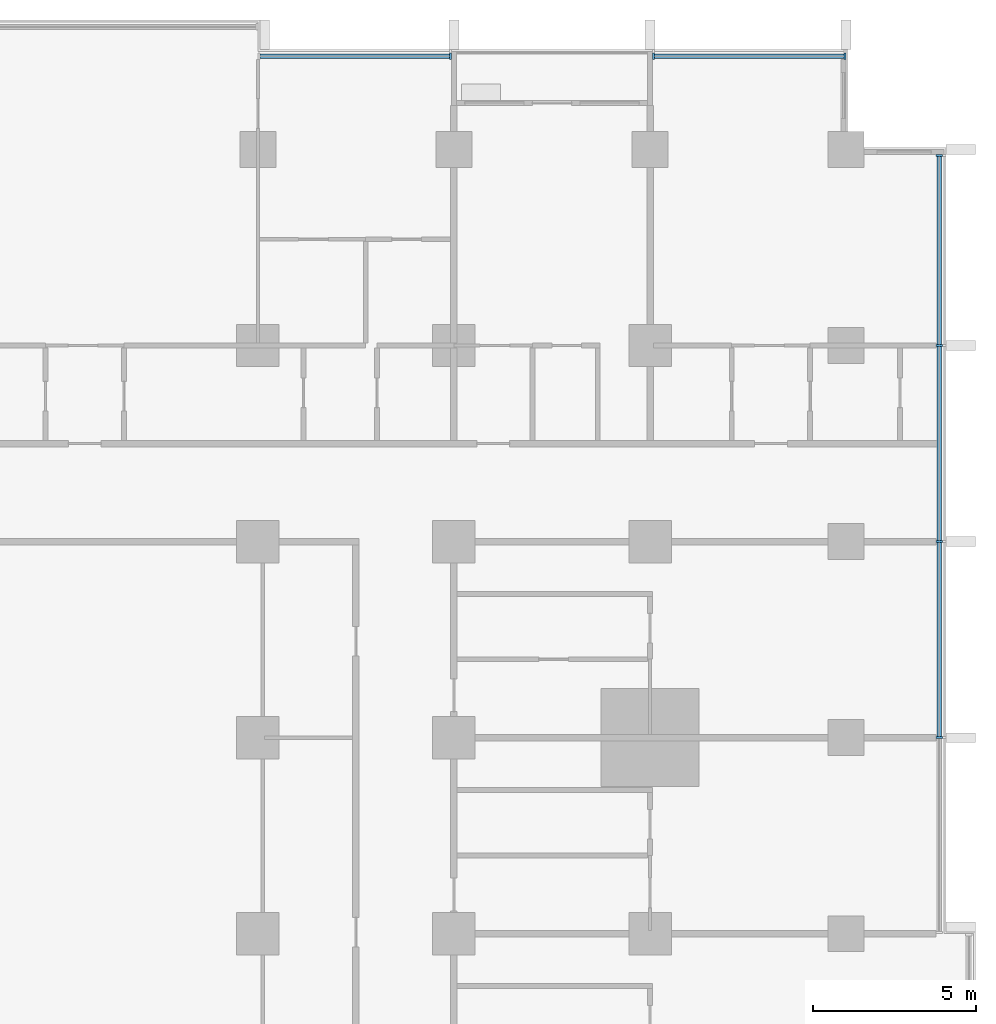
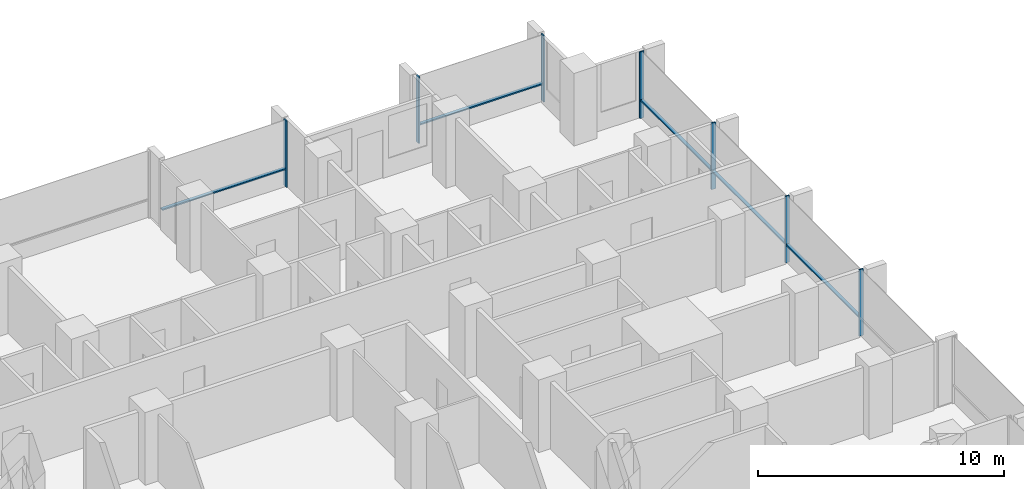
# One storey, part 5 of 18: 12 members, 3 elements without a shape of their own.
"""IFC4 building model written with IfcOpenShell, lengths in metres."""

from ifc_helpers import new_model, si_unit, direction, frame, origin, origin_2d, place, context, subcontext, project, spatial, rectangle, extrude, material, material_profile, profile_set, type_object, element, aggregate, save


model = new_model("IFC4")

# Units and contexts
model_context = context("Model", 3, precision=1e-05, world=origin(), true_north=direction((0.0, 1.0)))
body_context = subcontext(model_context, "Body", "Model", "MODEL_VIEW")
ifc_project = project(units=[si_unit("LENGTHUNIT", "METRE"), si_unit("AREAUNIT", "SQUARE_METRE"), si_unit("VOLUMEUNIT", "CUBIC_METRE"), si_unit("PLANEANGLEUNIT", "RADIAN"), si_unit("MASSUNIT", "GRAM", prefix="KILO")], contexts=[model_context])

# Site, building, storey
site_placement = place(None, origin())
site = spatial("IfcSite", under=ifc_project, at=site_placement, CompositionType="ELEMENT")
building_placement = place(site_placement, origin())
building = spatial("IfcBuilding", under=site, at=building_placement, Name="Finial Court Residences", CompositionType="ELEMENT")
storey_placement = place(building_placement, frame((0.0, 0.0, 57.699951171875)))
storey = spatial("IfcBuildingStorey", under=building, at=storey_placement, Name="L13", CompositionType="ELEMENT", Elevation=57.699951171875)

# Curtain wall, member
ifc_material = material(Name="Bronze anodised aluminium", Category="aluminium")
curtain_wall_type = type_object("IfcCurtainWallType", Name="Unitised curtain wall, lower and middle zones", PredefinedType="NOTDEFINED", material=ifc_material)
curtain_wall_1_placement = place(storey_placement, origin())
curtain_wall_1 = element("IfcCurtainWall", 1, at=curtain_wall_1_placement, inside=storey, type_object=curtain_wall_type, Name="E-L13-CW-N3", PredefinedType="NOTDEFINED")
ifc_material_profile_1 = material_profile(ifc_material, rectangle(XDim=0.199951171875, YDim=0.06494140625, at=origin_2d()), Name="CW1 mullion 65 x 200")
ifc_profile_set_1 = profile_set([ifc_material_profile_1], Name="Bronze anodised aluminium")
member_type_1 = type_object("IfcMemberType", Name="CW1 mullion 65 x 200", PredefinedType="MULLION", material=ifc_profile_set_1)
member_1_placement = place(storey_placement, frame((10.392578125, 28.35009765625, 0.0), z_axis=(0.0, 0.0, 1.0), x_axis=(0.0, 1.0, 0.0)))
member_1 = element("IfcMember", 2, at=member_1_placement, type_object=member_type_1, Name="CW1 mullion 2", PredefinedType="MULLION", context=body_context, shape_type="SweptSolid", body=[
    extrude(rectangle(XDim=0.199951171875, YDim=0.06494140625, at=origin_2d()), origin(), (0.0, 0.0, 1.0), 3.300048828125),
])

# Curtain wall, members
curtain_wall_2_placement = place(storey_placement, origin())
curtain_wall_2 = element("IfcCurtainWall", 3, at=curtain_wall_2_placement, inside=storey, type_object=curtain_wall_type, Name="E-L13-CW-N4", PredefinedType="NOTDEFINED")
member_2_placement = place(storey_placement, frame((16.607421875, 28.35009765625, 0.0), z_axis=(0.0, 0.0, 1.0), x_axis=(0.0, 1.0, 0.0)))
member_2 = element("IfcMember", 4, at=member_2_placement, type_object=member_type_1, Name="CW1 mullion 1", PredefinedType="MULLION", context=body_context, shape_type="SweptSolid", body=[
    extrude(rectangle(XDim=0.199951171875, YDim=0.06494140625, at=origin_2d()), origin(), (0.0, 0.0, 1.0), 3.300048828125),
])
member_3_placement = place(storey_placement, frame((22.467529296875, 28.35009765625, 0.0), z_axis=(0.0, 0.0, 1.0), x_axis=(0.0, 1.0, 0.0)))
member_3 = element("IfcMember", 5, at=member_3_placement, type_object=member_type_1, Name="CW1 mullion 2", PredefinedType="MULLION", context=body_context, shape_type="SweptSolid", body=[
    extrude(rectangle(XDim=0.199951171875, YDim=0.06494140625, at=origin_2d()), origin(), (0.0, 0.0, 1.0), 3.300048828125),
])

curtain_wall_3_placement = place(storey_placement, origin())
curtain_wall_3 = element("IfcCurtainWall", 6, at=curtain_wall_3_placement, inside=storey, type_object=curtain_wall_type, Name="E-L13-CW-E7", PredefinedType="NOTDEFINED")
member_4_placement = place(storey_placement, frame((25.35009765625, 7.5, 0.0), z_axis=(0.0, 0.0, 1.0), x_axis=(-1.0, 0.0, 0.0)))
member_4 = element("IfcMember", 7, at=member_4_placement, type_object=member_type_1, Name="CW1 mullion 2", PredefinedType="MULLION", context=body_context, shape_type="SweptSolid", body=[
    extrude(rectangle(XDim=0.199951171875, YDim=0.06494140625, at=origin_2d()), origin(), (0.0, 0.0, 1.0), 3.300048828125),
])
member_5_placement = place(storey_placement, frame((25.35009765625, 13.5, 0.0), z_axis=(0.0, 0.0, 1.0), x_axis=(-1.0, 0.0, 0.0)))
member_5 = element("IfcMember", 8, at=member_5_placement, type_object=member_type_1, Name="CW1 mullion 3", PredefinedType="MULLION", context=body_context, shape_type="SweptSolid", body=[
    extrude(rectangle(XDim=0.199951171875, YDim=0.06494140625, at=origin_2d()), origin(), (0.0, 0.0, 1.0), 3.300048828125),
])
member_6_placement = place(storey_placement, frame((25.35009765625, 19.5, 0.0), z_axis=(0.0, 0.0, 1.0), x_axis=(-1.0, 0.0, 0.0)))
member_6 = element("IfcMember", 9, at=member_6_placement, type_object=member_type_1, Name="CW1 mullion 4", PredefinedType="MULLION", context=body_context, shape_type="SweptSolid", body=[
    extrude(rectangle(XDim=0.199951171875, YDim=0.06494140625, at=origin_2d()), origin(), (0.0, 0.0, 1.0), 3.300048828125),
])
member_7_placement = place(storey_placement, frame((25.35009765625, 25.3173828125, 0.0), z_axis=(0.0, 0.0, 1.0), x_axis=(-1.0, 0.0, 0.0)))
member_7 = element("IfcMember", 10, at=member_7_placement, type_object=member_type_1, Name="CW1 mullion 5", PredefinedType="MULLION", context=body_context, shape_type="SweptSolid", body=[
    extrude(rectangle(XDim=0.199951171875, YDim=0.06494140625, at=origin_2d()), origin(), (0.0, 0.0, 1.0), 3.300048828125),
])

# Member
ifc_material_profile_2 = material_profile(ifc_material, rectangle(XDim=0.14990234375, YDim=0.06494140625, at=origin_2d()), Name="CW1 transom 65 x 150")
ifc_profile_set_2 = profile_set([ifc_material_profile_2], Name="Bronze anodised aluminium")
member_type_2 = type_object("IfcMemberType", Name="CW1 transom 65 x 150", PredefinedType="USERDEFINED", material=ifc_profile_set_2)
member_8_placement = place(storey_placement, frame((4.56494140625, 28.35009765625, 0.900146484375), z_axis=(1.0, 0.0, 0.0), x_axis=(0.0, 1.0, 0.0)))
member_8 = element("IfcMember", 11, at=member_8_placement, type_object=member_type_2, Name="CW1 transom 1.1", ObjectType="TRANSOM", PredefinedType="USERDEFINED", context=body_context, shape_type="SweptSolid", body=[
    extrude(rectangle(XDim=0.14990234375, YDim=0.06494140625, at=origin_2d()), origin(), (0.0, 0.0, 1.0), 5.795166015625),
])

aggregate(curtain_wall_1, [member_1, member_8])

member_9_placement = place(storey_placement, frame((16.639892578125, 28.35009765625, 0.900146484375), z_axis=(1.0, 0.0, 0.0), x_axis=(0.0, 1.0, 0.0)))
member_9 = element("IfcMember", 12, at=member_9_placement, type_object=member_type_2, Name="CW1 transom 1.1", ObjectType="TRANSOM", PredefinedType="USERDEFINED", context=body_context, shape_type="SweptSolid", body=[
    extrude(rectangle(XDim=0.14990234375, YDim=0.06494140625, at=origin_2d()), origin(), (0.0, 0.0, 1.0), 5.795166015625),
])

aggregate(curtain_wall_2, [member_2, member_3, member_9])

member_10_placement = place(storey_placement, frame((25.35009765625, 7.532470703125, 0.900146484375), z_axis=(0.0, 1.0, 0.0), x_axis=(-1.0, 0.0, 0.0)))
member_10 = element("IfcMember", 13, at=member_10_placement, type_object=member_type_2, Name="CW1 transom 2.1", ObjectType="TRANSOM", PredefinedType="USERDEFINED", context=body_context, shape_type="SweptSolid", body=[
    extrude(rectangle(XDim=0.14990234375, YDim=0.06494140625, at=origin_2d()), origin(), (0.0, 0.0, 1.0), 5.93505859375),
])

member_11_placement = place(storey_placement, frame((25.35009765625, 13.532470703125, 0.900146484375), z_axis=(0.0, 1.0, 0.0), x_axis=(-1.0, 0.0, 0.0)))
member_11 = element("IfcMember", 14, at=member_11_placement, type_object=member_type_2, Name="CW1 transom 3.1", ObjectType="TRANSOM", PredefinedType="USERDEFINED", context=body_context, shape_type="SweptSolid", body=[
    extrude(rectangle(XDim=0.14990234375, YDim=0.06494140625, at=origin_2d()), origin(), (0.0, 0.0, 1.0), 5.93505859375),
])

member_12_placement = place(storey_placement, frame((25.35009765625, 19.532470703125, 0.900146484375), z_axis=(0.0, 1.0, 0.0), x_axis=(-1.0, 0.0, 0.0)))
member_12 = element("IfcMember", 15, at=member_12_placement, type_object=member_type_2, Name="CW1 transom 4.1", ObjectType="TRANSOM", PredefinedType="USERDEFINED", context=body_context, shape_type="SweptSolid", body=[
    extrude(rectangle(XDim=0.14990234375, YDim=0.06494140625, at=origin_2d()), origin(), (0.0, 0.0, 1.0), 5.75244140625),
])

aggregate(curtain_wall_3, [member_4, member_5, member_6, member_7, member_10, member_11, member_12])

save(model, "model.ifc")
